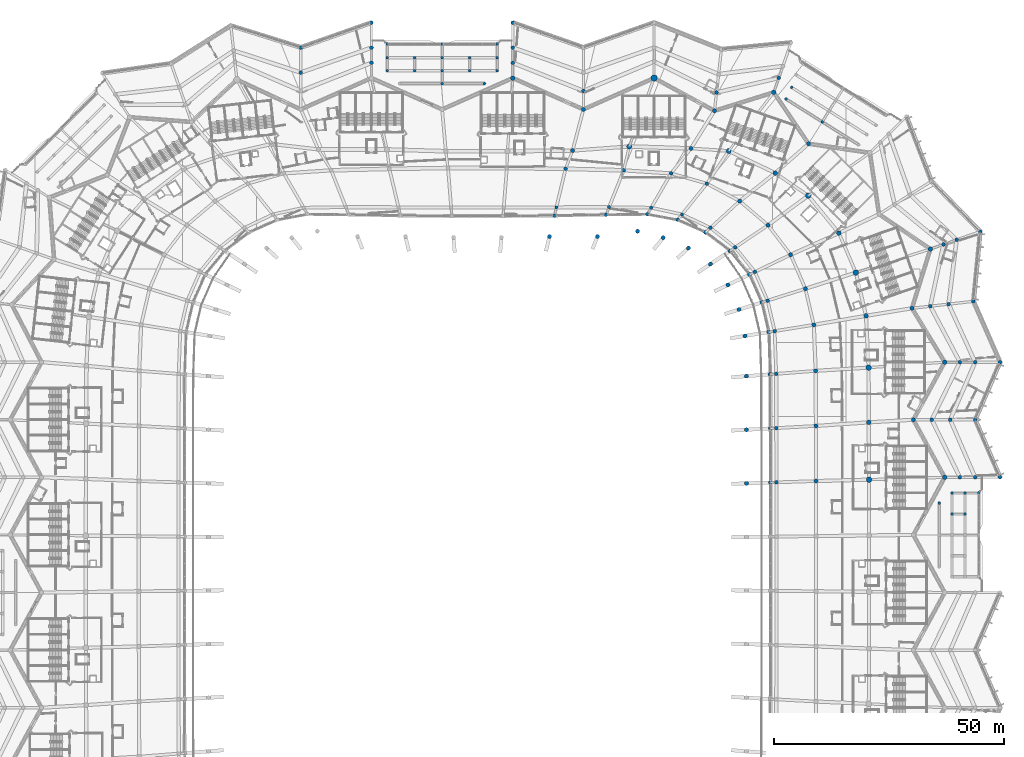
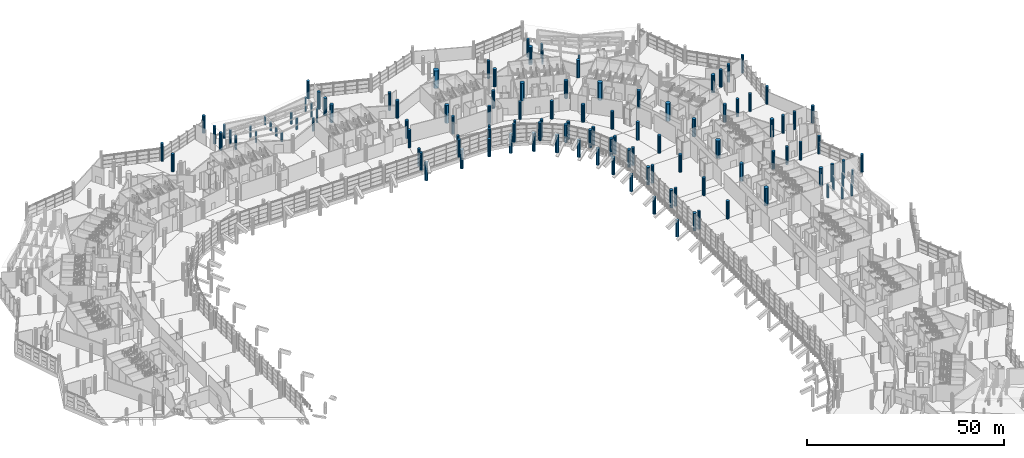
# One storey, part 6 of 271: 121 columns.
"""IFC4 building model written with IfcOpenShell, lengths in metres."""

from ifc_helpers import new_model, si_unit, direction, frame, origin, origin_2d, place, context, subcontext, project, spatial, circle, extrude, material, material_profile, profile_set, type_object, element, save


model = new_model("IFC4")

# Units and contexts
model_context = context("Model", 3, precision=1e-05, world=origin(), true_north=direction((0.0, 1.0)))
body_context = subcontext(model_context, "Body", "Model", "MODEL_VIEW")
ifc_project = project(units=[si_unit("LENGTHUNIT", "METRE"), si_unit("AREAUNIT", "SQUARE_METRE"), si_unit("VOLUMEUNIT", "CUBIC_METRE"), si_unit("PLANEANGLEUNIT", "RADIAN"), si_unit("MASSUNIT", "GRAM", prefix="KILO")], contexts=[model_context])

# Site, building, storey
site_placement = place(None, origin())
site = spatial("IfcSite", under=ifc_project, at=site_placement, CompositionType="ELEMENT")
building_placement = place(site_placement, origin())
building = spatial("IfcBuilding", under=site, at=building_placement, Name="Meseta Stadium", CompositionType="ELEMENT")
storey_placement = place(building_placement, frame((0.0, 0.0, 6.5)))
storey = spatial("IfcBuildingStorey", under=building, at=storey_placement, Name="L01", CompositionType="ELEMENT", Elevation=6.5)

# Columns
ifc_material_1 = material(Name="Concrete C40/50", Category="concrete")
ifc_material_profile_1 = material_profile(ifc_material_1, circle(Radius=0.300048828125, at=origin_2d()), Name="RC D600")
ifc_profile_set_1 = profile_set([ifc_material_profile_1], Name="Concrete C40/50")
column_type_1 = type_object("IfcColumnType", Name="Gate column D600", PredefinedType="COLUMN", material=ifc_profile_set_1)
column_1_placement = place(storey_placement, frame((100.199951171875, 13.16748046875, 0.0), z_axis=(0.0, 0.0, 1.0), x_axis=(1.0, 0.0, 0.0)))
element("IfcColumn", 1, at=column_1_placement, inside=storey, type_object=column_type_1, Name="Gate 1 column L01", PredefinedType="COLUMN", context=body_context, shape_type="SweptSolid", body=[
    extrude(circle(Radius=0.300048828125, at=origin_2d()), origin(), (0.0, 0.0, 1.0), 4.146484375),
])
column_2_placement = place(storey_placement, frame((103.0, 10.800048828125, 0.0), z_axis=(0.0, 0.0, 1.0), x_axis=(1.0, 0.0, 0.0)))
element("IfcColumn", 2, at=column_2_placement, inside=storey, type_object=column_type_1, Name="Gate 1 column L01", PredefinedType="COLUMN", context=body_context, shape_type="SweptSolid", body=[
    extrude(circle(Radius=0.300048828125, at=origin_2d()), origin(), (0.0, 0.0, 1.0), 3.759033203125),
])
column_3_placement = place(storey_placement, frame((103.0, 15.35009765625, 0.0), z_axis=(0.0, 0.0, 1.0), x_axis=(1.0, 0.0, 0.0)))
element("IfcColumn", 3, at=column_3_placement, inside=storey, type_object=column_type_1, Name="Gate 1 column L01", PredefinedType="COLUMN", context=body_context, shape_type="SweptSolid", body=[
    extrude(circle(Radius=0.300048828125, at=origin_2d()), origin(), (0.0, 0.0, 1.0), 4.39599609375),
])
column_4_placement = place(storey_placement, frame((105.800048828125, 10.800048828125, 0.0), z_axis=(0.0, 0.0, 1.0), x_axis=(1.0, 0.0, 0.0)))
element("IfcColumn", 4, at=column_4_placement, inside=storey, type_object=column_type_1, Name="Gate 1 column L01", PredefinedType="COLUMN", context=body_context, shape_type="SweptSolid", body=[
    extrude(circle(Radius=0.300048828125, at=origin_2d()), origin(), (0.0, 0.0, 1.0), 3.702880859375),
])
column_5_placement = place(storey_placement, frame((105.800048828125, 15.35009765625, 0.0), z_axis=(0.0, 0.0, 1.0), x_axis=(1.0, 0.0, 0.0)))
element("IfcColumn", 5, at=column_5_placement, inside=storey, type_object=column_type_1, Name="Gate 1 column L01", PredefinedType="COLUMN", context=body_context, shape_type="SweptSolid", body=[
    extrude(circle(Radius=0.300048828125, at=origin_2d()), origin(), (0.0, 0.0, 1.0), 4.340087890625),
])
column_6_placement = place(storey_placement, frame((108.800048828125, 15.35009765625, 0.0), z_axis=(0.0, 0.0, 1.0), x_axis=(1.0, 0.0, 0.0)))
element("IfcColumn", 6, at=column_6_placement, inside=storey, type_object=column_type_1, Name="Gate 1 column L01", PredefinedType="COLUMN", context=body_context, shape_type="SweptSolid", body=[
    extrude(circle(Radius=0.300048828125, at=origin_2d()), origin(), (0.0, 0.0, 1.0), 4.280029296875),
])
column_7_placement = place(storey_placement, frame((74.836181640625, 95.892578125, 0.0), z_axis=(0.0, 0.0, 1.0), x_axis=(1.0, 0.0, 0.0)))
element("IfcColumn", 7, at=column_7_placement, inside=storey, type_object=column_type_1, Name="Gate 2 column L01", PredefinedType="COLUMN", context=body_context, shape_type="SweptSolid", body=[
    extrude(circle(Radius=0.300048828125, at=origin_2d()), origin(), (0.0, 0.0, 1.0), 3.106689453125),
])
column_8_placement = place(storey_placement, frame((66.952880859375, 100.845947265625, 0.0), z_axis=(0.0, 0.0, 1.0), x_axis=(1.0, 0.0, 0.0)))
element("IfcColumn", 8, at=column_8_placement, inside=storey, type_object=column_type_1, Name="Gate 2 column L01", PredefinedType="COLUMN", context=body_context, shape_type="SweptSolid", body=[
    extrude(circle(Radius=0.300048828125, at=origin_2d()), origin(), (0.0, 0.0, 1.0), 4.409912109375),
])
column_9_placement = place(storey_placement, frame((68.18896484375, 103.3759765625, 0.0), z_axis=(0.0, 0.0, 1.0), x_axis=(1.0, 0.0, 0.0)))
element("IfcColumn", 9, at=column_9_placement, inside=storey, type_object=column_type_1, Name="Gate 2 column L01", PredefinedType="COLUMN", context=body_context, shape_type="SweptSolid", body=[
    extrude(circle(Radius=0.300048828125, at=origin_2d()), origin(), (0.0, 0.0, 1.0), 4.39599609375),
])
column_10_placement = place(storey_placement, frame((1.516845703125, 104.199951171875, 0.0), z_axis=(0.0, 0.0, 1.0), x_axis=(1.0, 0.0, 0.0)))
element("IfcColumn", 10, at=column_10_placement, inside=storey, type_object=column_type_1, Name="Gate 3 column L01", PredefinedType="COLUMN", context=body_context, shape_type="SweptSolid", body=[
    extrude(circle(Radius=0.300048828125, at=origin_2d()), origin(), (0.0, 0.0, 1.0), 4.06689453125),
])
column_11_placement = place(storey_placement, frame((-7.666748046875, 104.199951171875, 0.0), z_axis=(0.0, 0.0, 1.0), x_axis=(1.0, 0.0, 0.0)))
element("IfcColumn", 11, at=column_11_placement, inside=storey, type_object=column_type_1, Name="Gate 3 column L01", PredefinedType="COLUMN", context=body_context, shape_type="SweptSolid", body=[
    extrude(circle(Radius=0.300048828125, at=origin_2d()), origin(), (0.0, 0.0, 1.0), 2.78125),
])
column_12_placement = place(storey_placement, frame((4.2666015625, 107.0, 0.0), z_axis=(0.0, 0.0, 1.0), x_axis=(1.0, 0.0, 0.0)))
element("IfcColumn", 12, at=column_12_placement, inside=storey, type_object=column_type_1, Name="Gate 3 column L01", PredefinedType="COLUMN", context=body_context, shape_type="SweptSolid", body=[
    extrude(circle(Radius=0.300048828125, at=origin_2d()), origin(), (0.0, 0.0, 1.0), 4.39599609375),
])
column_13_placement = place(storey_placement, frame((-1.699951171875, 107.0, 0.0), z_axis=(0.0, 0.0, 1.0), x_axis=(1.0, 0.0, 0.0)))
element("IfcColumn", 13, at=column_13_placement, inside=storey, type_object=column_type_1, Name="Gate 3 column L01", PredefinedType="COLUMN", context=body_context, shape_type="SweptSolid", body=[
    extrude(circle(Radius=0.300048828125, at=origin_2d()), origin(), (0.0, 0.0, 1.0), 3.560791015625),
])
column_14_placement = place(storey_placement, frame((-7.666748046875, 107.0, 0.0), z_axis=(0.0, 0.0, 1.0), x_axis=(1.0, 0.0, 0.0)))
element("IfcColumn", 14, at=column_14_placement, inside=storey, type_object=column_type_1, Name="Gate 3 column L01", PredefinedType="COLUMN", context=body_context, shape_type="SweptSolid", body=[
    extrude(circle(Radius=0.300048828125, at=origin_2d()), origin(), (0.0, 0.0, 1.0), 2.725341796875),
])
column_15_placement = place(storey_placement, frame((-13.63330078125, 107.0, 0.0), z_axis=(0.0, 0.0, 1.0), x_axis=(1.0, 0.0, 0.0)))
element("IfcColumn", 15, at=column_15_placement, inside=storey, type_object=column_type_1, Name="Gate 3 column L01", PredefinedType="COLUMN", context=body_context, shape_type="SweptSolid", body=[
    extrude(circle(Radius=0.300048828125, at=origin_2d()), origin(), (0.0, 0.0, 1.0), 3.560791015625),
])
column_16_placement = place(storey_placement, frame((-19.60009765625, 107.0, 0.0), z_axis=(0.0, 0.0, 1.0), x_axis=(1.0, 0.0, 0.0)))
element("IfcColumn", 16, at=column_16_placement, inside=storey, type_object=column_type_1, Name="Gate 3 column L01", PredefinedType="COLUMN", context=body_context, shape_type="SweptSolid", body=[
    extrude(circle(Radius=0.300048828125, at=origin_2d()), origin(), (0.0, 0.0, 1.0), 4.39599609375),
])
column_17_placement = place(storey_placement, frame((4.2666015625, 109.800048828125, 0.0), z_axis=(0.0, 0.0, 1.0), x_axis=(1.0, 0.0, 0.0)))
element("IfcColumn", 17, at=column_17_placement, inside=storey, type_object=column_type_1, Name="Gate 3 column L01", PredefinedType="COLUMN", context=body_context, shape_type="SweptSolid", body=[
    extrude(circle(Radius=0.300048828125, at=origin_2d()), origin(), (0.0, 0.0, 1.0), 4.340087890625),
])
column_18_placement = place(storey_placement, frame((-1.699951171875, 109.800048828125, 0.0), z_axis=(0.0, 0.0, 1.0), x_axis=(1.0, 0.0, 0.0)))
element("IfcColumn", 18, at=column_18_placement, inside=storey, type_object=column_type_1, Name="Gate 3 column L01", PredefinedType="COLUMN", context=body_context, shape_type="SweptSolid", body=[
    extrude(circle(Radius=0.300048828125, at=origin_2d()), origin(), (0.0, 0.0, 1.0), 3.504638671875),
])
column_19_placement = place(storey_placement, frame((-7.666748046875, 109.800048828125, 0.0), z_axis=(0.0, 0.0, 1.0), x_axis=(1.0, 0.0, 0.0)))
element("IfcColumn", 19, at=column_19_placement, inside=storey, type_object=column_type_1, Name="Gate 3 column L01", PredefinedType="COLUMN", context=body_context, shape_type="SweptSolid", body=[
    extrude(circle(Radius=0.300048828125, at=origin_2d()), origin(), (0.0, 0.0, 1.0), 2.669189453125),
])
column_20_placement = place(storey_placement, frame((-13.63330078125, 109.800048828125, 0.0), z_axis=(0.0, 0.0, 1.0), x_axis=(1.0, 0.0, 0.0)))
element("IfcColumn", 20, at=column_20_placement, inside=storey, type_object=column_type_1, Name="Gate 3 column L01", PredefinedType="COLUMN", context=body_context, shape_type="SweptSolid", body=[
    extrude(circle(Radius=0.300048828125, at=origin_2d()), origin(), (0.0, 0.0, 1.0), 3.504638671875),
])
column_21_placement = place(storey_placement, frame((-19.60009765625, 109.800048828125, 0.0), z_axis=(0.0, 0.0, 1.0), x_axis=(1.0, 0.0, 0.0)))
element("IfcColumn", 21, at=column_21_placement, inside=storey, type_object=column_type_1, Name="Gate 3 column L01", PredefinedType="COLUMN", context=body_context, shape_type="SweptSolid", body=[
    extrude(circle(Radius=0.300048828125, at=origin_2d()), origin(), (0.0, 0.0, 1.0), 4.340087890625),
])
column_22_placement = place(storey_placement, frame((4.2666015625, 112.800048828125, 0.0), z_axis=(0.0, 0.0, 1.0), x_axis=(1.0, 0.0, 0.0)))
element("IfcColumn", 22, at=column_22_placement, inside=storey, type_object=column_type_1, Name="Gate 3 column L01", PredefinedType="COLUMN", context=body_context, shape_type="SweptSolid", body=[
    extrude(circle(Radius=0.300048828125, at=origin_2d()), origin(), (0.0, 0.0, 1.0), 4.280029296875),
])
column_23_placement = place(storey_placement, frame((-7.666748046875, 112.800048828125, 0.0), z_axis=(0.0, 0.0, 1.0), x_axis=(1.0, 0.0, 0.0)))
element("IfcColumn", 23, at=column_23_placement, inside=storey, type_object=column_type_1, Name="Gate 3 column L01", PredefinedType="COLUMN", context=body_context, shape_type="SweptSolid", body=[
    extrude(circle(Radius=0.300048828125, at=origin_2d()), origin(), (0.0, 0.0, 1.0), 2.609375),
])
column_24_placement = place(storey_placement, frame((-19.60009765625, 112.800048828125, 0.0), z_axis=(0.0, 0.0, 1.0), x_axis=(1.0, 0.0, 0.0)))
element("IfcColumn", 24, at=column_24_placement, inside=storey, type_object=column_type_1, Name="Gate 3 column L01", PredefinedType="COLUMN", context=body_context, shape_type="SweptSolid", body=[
    extrude(circle(Radius=0.300048828125, at=origin_2d()), origin(), (0.0, 0.0, 1.0), 4.280029296875),
])
ifc_material_2 = material(Name="Concrete C40/50", Category="concrete")
ifc_material_profile_2 = material_profile(ifc_material_2, circle(Radius=0.5, at=origin_2d()), Name="RC D1000")
ifc_profile_set_2 = profile_set([ifc_material_profile_2], Name="Concrete C40/50")
column_type_2 = type_object("IfcColumnType", Name="RC column D1000", PredefinedType="COLUMN", material=ifc_profile_set_2)
for number, where, z_axis, x_axis, name in (
    (25, (101.39990234375, 18.75, 0.0), (0.0, 0.0, 1.0), (1.0, 0.0, 0.0), "Column C10 L01 frame 6 line R"),
    (26, (84.92529296875, 30.681640625, 0.0), (0.0, 0.0, 1.0), (1.0, 0.0, 0.0), "Column C10 L01 frame 7 line P"),
    (27, (101.39990234375, 43.75, 0.0), (0.0, 0.0, 1.0), (1.0, 0.0, 0.0), "Column C10 L01 frame 8 line R"),
    (28, (84.3251953125, 53.801513671875, 0.0), (0.0, 0.0, 1.0), (1.0, 0.0, 0.0), "Column C10 L01 frame 9 line P"),
    (29, (98.291015625, 68.29736328125, 0.0), (0.0, 0.0, 1.0), (1.0, 0.0, 0.0), "Column C10 L01 frame 10 line R"),
    (30, (78.4453125, 71.756103515625, 0.0), (0.0, 0.0, 1.0), (1.0, 0.0, 0.0), "Column C10 L01 frame 11 line P"),
    (31, (64.6220703125, 84.79248046875, 0.0), (0.0, 0.0, 1.0), (1.0, 0.0, 0.0), "Column C10 L01 frame 13 line P"),
    (32, (64.29736328125, 102.291015625, 0.0), (0.0, 0.0, 1.0), (1.0, 0.0, 0.0), "Column C10 L01 frame 14 line R"),
    (33, (7.666748046875, 105.39990234375, 0.0), (0.0, 0.0, 1.0), (1.0, 0.0, 0.0), "Column C10 L01 frame 18 line R"),
):
    element("IfcColumn", number, at=place(storey_placement, frame(where, z_axis=z_axis, x_axis=x_axis)), inside=storey, type_object=column_type_2, Name=name, PredefinedType="COLUMN", context=body_context, shape_type="SweptSolid", body=[
        extrude(circle(Radius=0.5, at=origin_2d()), origin(), (0.0, 0.0, 1.0), 5.5),
    ])
ifc_material_3 = material(Name="Concrete C40/50", Category="concrete")
ifc_material_profile_3 = material_profile(ifc_material_3, circle(Radius=0.550048828125, at=origin_2d()), Name="RC D1100")
ifc_profile_set_3 = profile_set([ifc_material_profile_3], Name="Concrete C40/50")
column_type_3 = type_object("IfcColumnType", Name="RC column D1100", PredefinedType="COLUMN", material=ifc_profile_set_3)
for number, where, z_axis, x_axis, name in (
    (34, (54.523193359375, 89.579345703125, 0.0), (0.0, 0.0, 1.0), (1.0, 0.0, 0.0), "Column C11 L01 frame 14 line P"),
    (35, (32.944091796875, 90.551025390625, 0.0), (0.0, 0.0, 1.0), (1.0, 0.0, 0.0), "Column C11 L01 frame 16 line P"),
):
    element("IfcColumn", number, at=place(storey_placement, frame(where, z_axis=z_axis, x_axis=x_axis)), inside=storey, type_object=column_type_3, Name=name, PredefinedType="COLUMN", context=body_context, shape_type="SweptSolid", body=[
        extrude(circle(Radius=0.550048828125, at=origin_2d()), origin(), (0.0, 0.0, 1.0), 5.5),
    ])
ifc_material_4 = material(Name="Concrete C40/50", Category="concrete")
ifc_material_profile_4 = material_profile(ifc_material_4, circle(Radius=0.60009765625, at=origin_2d()), Name="RC D1200")
ifc_profile_set_4 = profile_set([ifc_material_profile_4], Name="Concrete C40/50")
column_type_4 = type_object("IfcColumnType", Name="RC column D1200", PredefinedType="COLUMN", material=ifc_profile_set_4)
for number, where, z_axis, x_axis, name in (
    (36, (84.978515625, 18.24365234375, 0.0), (0.0, 0.0, 1.0), (1.0, 0.0, 0.0), "Column C12 L01 frame 6 line P"),
    (37, (84.884033203125, 42.5615234375, 0.0), (0.0, 0.0, 1.0), (1.0, 0.0, 0.0), "Column C12 L01 frame 8 line P"),
    (38, (82.119873046875, 63.191162109375, 0.0), (0.0, 0.0, 1.0), (1.0, 0.0, 0.0), "Column C12 L01 frame 10 line P"),
    (39, (71.775390625, 79.888916015625, 0.0), (0.0, 0.0, 1.0), (1.0, 0.0, 0.0), "Column C12 L01 frame 12 line P"),
):
    element("IfcColumn", number, at=place(storey_placement, frame(where, z_axis=z_axis, x_axis=x_axis)), inside=storey, type_object=column_type_4, Name=name, PredefinedType="COLUMN", context=body_context, shape_type="SweptSolid", body=[
        extrude(circle(Radius=0.60009765625, at=origin_2d()), origin(), (0.0, 0.0, 1.0), 5.5),
    ])
ifc_material_5 = material(Name="Concrete C40/50", Category="concrete")
ifc_material_profile_5 = material_profile(ifc_material_5, circle(Radius=0.699951171875, at=origin_2d()), Name="RC D1400")
ifc_profile_set_5 = profile_set([ifc_material_profile_5], Name="Concrete C40/50")
column_type_5 = type_object("IfcColumnType", Name="RC column D1400", PredefinedType="COLUMN", material=ifc_profile_set_5)
column_25_placement = place(storey_placement, frame((38.333251953125, 105.39990234375, 0.0), z_axis=(0.0, 0.0, 1.0), x_axis=(1.0, 0.0, 0.0)))
element("IfcColumn", 40, at=column_25_placement, inside=storey, type_object=column_type_5, Name="Column C14 L01 frame 16 line R", PredefinedType="COLUMN", context=body_context, shape_type="SweptSolid", body=[
    extrude(circle(Radius=0.699951171875, at=origin_2d()), origin(), (0.0, 0.0, 1.0), 5.5),
])
ifc_material_6 = material(Name="Concrete C40/50", Category="concrete")
ifc_material_profile_6 = material_profile(ifc_material_6, circle(Radius=0.35009765625, at=origin_2d()), Name="RC D700")
ifc_profile_set_6 = profile_set([ifc_material_profile_6], Name="Concrete C40/50")
column_type_6 = type_object("IfcColumnType", Name="RC column D700", PredefinedType="COLUMN", material=ifc_profile_set_6)
for number, where, z_axis, x_axis, name in (
    (41, (44.39013671875, 75.806396484375, 0.0), (0.0, 0.0, 1.0), (1.0, 0.0, 0.0), "Column C7 L01 frame 14 line D"),
    (42, (37.711669921875, 77.26171875, 0.0), (0.0, 0.0, 1.0), (1.0, 0.0, 0.0), "Column C7 L01 frame 15 line D"),
    (43, (28.564697265625, 77.38330078125, 0.0), (0.0, 0.0, 1.0), (1.0, 0.0, 0.0), "Column C7 L01 frame 16 line D"),
    (44, (17.126708984375, 77.33203125, 0.0), (0.0, 0.0, 1.0), (1.0, 0.0, 0.0), "Column C7 L01 frame 17 line D"),
):
    element("IfcColumn", number, at=place(storey_placement, frame(where, z_axis=z_axis, x_axis=x_axis)), inside=storey, type_object=column_type_6, Name=name, PredefinedType="COLUMN", context=body_context, shape_type="SweptSolid", body=[
        extrude(circle(Radius=0.35009765625, at=origin_2d()), origin(), (0.0, 0.0, 1.0), 5.5),
    ])
ifc_material_7 = material(Name="Concrete C40/50", Category="concrete")
ifc_material_profile_7 = material_profile(ifc_material_7, circle(Radius=0.39990234375, at=origin_2d()), Name="RC D800")
ifc_profile_set_7 = profile_set([ifc_material_profile_7], Name="Concrete C40/50")
column_type_7 = type_object("IfcColumnType", Name="RC column D800", PredefinedType="COLUMN", material=ifc_profile_set_7)
for number, where, z_axis, x_axis, name in (
    (45, (64.886962890625, 17.66064453125, 0.0), (0.0, 0.0, 1.0), (1.0, 0.0, 0.0), "Column C8 L01 frame 6 line D"),
    (46, (64.8642578125, 29.433349609375, 0.0), (0.0, 0.0, 1.0), (1.0, 0.0, 0.0), "Column C8 L01 frame 7 line D"),
    (47, (64.829833984375, 41.2041015625, 0.0), (0.0, 0.0, 1.0), (1.0, 0.0, 0.0), "Column C8 L01 frame 8 line D"),
    (48, (64.501708984375, 50.479736328125, 0.0), (0.0, 0.0, 1.0), (1.0, 0.0, 0.0), "Column C8 L01 frame 9 line D"),
    (49, (62.963623046875, 57.1044921875, 0.0), (0.0, 0.0, 1.0), (1.0, 0.0, 0.0), "Column C8 L01 frame 10 line D"),
    (50, (60.22216796875, 63.33056640625, 0.0), (0.0, 0.0, 1.0), (1.0, 0.0, 0.0), "Column C8 L01 frame 11 line D"),
    (51, (55.940185546875, 68.657958984375, 0.0), (0.0, 0.0, 1.0), (1.0, 0.0, 0.0), "Column C8 L01 frame 12 line D"),
    (52, (50.571533203125, 72.888671875, 0.0), (0.0, 0.0, 1.0), (1.0, 0.0, 0.0), "Column C8 L01 frame 13 line D"),
    (53, (43.430419921875, 74.617431640625, 0.0), (0.0, 0.0, 1.0), (1.0, 0.0, 0.0), "Column C8 L01 frame 14 line C"),
    (54, (49.791259765625, 82.498779296875, 0.0), (0.0, 0.0, 1.0), (1.0, 0.0, 0.0), "Column C8 L01 frame 14 line E"),
    (55, (36.8857421875, 75.8330078125, 0.0), (0.0, 0.0, 1.0), (1.0, 0.0, 0.0), "Column C8 L01 frame 15 line C"),
    (56, (42.015625, 84.707275390625, 0.0), (0.0, 0.0, 1.0), (1.0, 0.0, 0.0), "Column C8 L01 frame 15 line E"),
    (57, (27.910888671875, 75.735595703125, 0.0), (0.0, 0.0, 1.0), (1.0, 0.0, 0.0), "Column C8 L01 frame 16 line C"),
    (58, (31.73681640625, 85.376708984375, 0.0), (0.0, 0.0, 1.0), (1.0, 0.0, 0.0), "Column C8 L01 frame 16 line E"),
    (59, (16.697509765625, 75.529541015625, 0.0), (0.0, 0.0, 1.0), (1.0, 0.0, 0.0), "Column C8 L01 frame 17 line C"),
    (60, (19.11865234375, 85.6982421875, 0.0), (0.0, 0.0, 1.0), (1.0, 0.0, 0.0), "Column C8 L01 frame 17 line E"),
    (61, (104.699951171875, 18.75, 0.0), (0.0, 0.0, 1.0), (1.0, 0.0, 0.0), "Ring column C8 L01 frame 6 line M"),
    (62, (108.0, 18.75, 0.0), (0.0, 0.0, 1.0), (1.0, 0.0, 0.0), "Ring column C8 L01 frame 6 line Q"),
    (63, (113.39990234375, 18.75, 0.0), (0.0, 0.0, 1.0), (1.0, 0.0, 0.0), "Ring column C8 L01 frame 6 line O"),
    (64, (98.60009765625, 31.25, 0.0), (0.0, 0.0, 1.0), (1.0, 0.0, 0.0), "Ring column C8 L01 frame 7 line M"),
    (65, (102.60009765625, 31.25, 0.0), (0.0, 0.0, 1.0), (1.0, 0.0, 0.0), "Ring column C8 L01 frame 7 line Q"),
    (66, (108.0, 31.25, 0.0), (0.0, 0.0, 1.0), (1.0, 0.0, 0.0), "Ring column C8 L01 frame 7 line O"),
    (67, (104.699951171875, 43.75, 0.0), (0.0, 0.0, 1.0), (1.0, 0.0, 0.0), "Ring column C8 L01 frame 8 line M"),
    (68, (108.0, 43.75, 0.0), (0.0, 0.0, 1.0), (1.0, 0.0, 0.0), "Ring column C8 L01 frame 8 line Q"),
    (69, (113.39990234375, 43.75, 0.0), (0.0, 0.0, 1.0), (1.0, 0.0, 0.0), "Ring column C8 L01 frame 8 line O"),
    (70, (98.269287109375, 55.889404296875, 0.0), (0.0, 0.0, 1.0), (1.0, 0.0, 0.0), "Ring column C8 L01 frame 9 line M"),
    (71, (102.244140625, 56.337158203125, 0.0), (0.0, 0.0, 1.0), (1.0, 0.0, 0.0), "Ring column C8 L01 frame 9 line Q"),
    (72, (107.610107421875, 56.94189453125, 0.0), (0.0, 0.0, 1.0), (1.0, 0.0, 0.0), "Ring column C8 L01 frame 9 line O"),
    (73, (101.140380859375, 69.29443359375, 0.0), (0.0, 0.0, 1.0), (1.0, 0.0, 0.0), "Ring column C8 L01 frame 10 line M"),
    (74, (103.989990234375, 70.29150390625, 0.0), (0.0, 0.0, 1.0), (1.0, 0.0, 0.0), "Ring column C8 L01 frame 10 line Q"),
    (75, (109.0869140625, 72.0751953125, 0.0), (0.0, 0.0, 1.0), (1.0, 0.0, 0.0), "Ring column C8 L01 frame 10 line O"),
    (76, (65.3935546875, 105.423583984375, 0.0), (0.0, 0.0, 1.0), (1.0, 0.0, 0.0), "Ring column C8 L01 frame 14 line M"),
    (77, (51.889404296875, 102.269287109375, 0.0), (0.0, 0.0, 1.0), (1.0, 0.0, 0.0), "Ring column C8 L01 frame 15 line M"),
    (78, (23.0, 102.60009765625, 0.0), (0.0, 0.0, 1.0), (1.0, 0.0, 0.0), "Ring column C8 L01 frame 17 line M"),
    (79, (7.666748046875, 108.699951171875, 0.0), (0.0, 0.0, 1.0), (1.0, 0.0, 0.0), "Ring column C8 L01 frame 18 line M"),
    (80, (7.666748046875, 112.0, 0.0), (0.0, 0.0, 1.0), (1.0, 0.0, 0.0), "Ring column C8 L01 frame 18 line Q"),
    (81, (7.666748046875, 117.39990234375, 0.0), (0.0, 0.0, 1.0), (1.0, 0.0, 0.0), "Ring column C8 L01 frame 18 line O"),
    (82, (-23.0, 108.699951171875, 0.0), (0.0, 0.0, 1.0), (1.0, 0.0, 0.0), "Ring column C8 L01 frame 20 line M"),
    (83, (-23.0, 112.0, 0.0), (0.0, 0.0, 1.0), (1.0, 0.0, 0.0), "Ring column C8 L01 frame 20 line Q"),
    (84, (-23.0, 117.39990234375, 0.0), (0.0, 0.0, 1.0), (1.0, 0.0, 0.0), "Ring column C8 L01 frame 20 line O"),
    (85, (-38.333251953125, 106.60009765625, 0.0), (0.0, 0.0, 1.0), (1.0, 0.0, 0.0), "Ring column C8 L01 frame 21 line Q"),
    (86, (-38.333251953125, 112.0, 0.0), (0.0, 0.0, 1.0), (1.0, 0.0, 0.0), "Ring column C8 L01 frame 21 line O"),
):
    element("IfcColumn", number, at=place(storey_placement, frame(where, z_axis=z_axis, x_axis=x_axis)), inside=storey, type_object=column_type_7, Name=name, PredefinedType="COLUMN", context=body_context, shape_type="SweptSolid", body=[
        extrude(circle(Radius=0.39990234375, at=origin_2d()), origin(), (0.0, 0.0, 1.0), 5.5),
    ])
ifc_material_8 = material(Name="Concrete C40/50", Category="concrete")
ifc_material_profile_8 = material_profile(ifc_material_8, circle(Radius=0.449951171875, at=origin_2d()), Name="RC D900")
ifc_profile_set_8 = profile_set([ifc_material_profile_8], Name="Concrete C40/50")
column_type_8 = type_object("IfcColumnType", Name="RC column D900", PredefinedType="COLUMN", material=ifc_profile_set_8)
column_26_placement = place(storey_placement, frame((58.390625, 17.447021484375, 0.0), z_axis=(0.0, 0.0, 1.0), x_axis=(1.0, 0.0, 0.0)))
element("IfcColumn", 87, at=column_26_placement, inside=storey, type_object=column_type_8, Name="Column C9 L01 frame 6 line U", PredefinedType="COLUMN", context=body_context, shape_type="SweptSolid", body=[
    extrude(circle(Radius=0.449951171875, at=origin_2d()), origin(), (0.0, 0.0, 1.0), 5.14111328125),
])
for number, where, z_axis, x_axis, name in (
    (88, (63.587890625, 17.617919921875, 0.0), (0.0, 0.0, 1.0), (1.0, 0.0, 0.0), "Column C9 L01 frame 6 line C"),
    (89, (73.482421875, 17.943603515625, 0.0), (0.0, 0.0, 1.0), (1.0, 0.0, 0.0), "Column C9 L01 frame 6 line E"),
):
    element("IfcColumn", number, at=place(storey_placement, frame(where, z_axis=z_axis, x_axis=x_axis)), inside=storey, type_object=column_type_8, Name=name, PredefinedType="COLUMN", context=body_context, shape_type="SweptSolid", body=[
        extrude(circle(Radius=0.449951171875, at=origin_2d()), origin(), (0.0, 0.0, 1.0), 5.5),
    ])
column_27_placement = place(storey_placement, frame((58.3740234375, 29.07763671875, 0.0), z_axis=(0.0, 0.0, 1.0), x_axis=(1.0, 0.0, 0.0)))
element("IfcColumn", 90, at=column_27_placement, inside=storey, type_object=column_type_8, Name="Column C9 L01 frame 7 line U", PredefinedType="COLUMN", context=body_context, shape_type="SweptSolid", body=[
    extrude(circle(Radius=0.449951171875, at=origin_2d()), origin(), (0.0, 0.0, 1.0), 5.21826171875),
])
for number, where, z_axis, x_axis, name in (
    (91, (63.566162109375, 29.362060546875, 0.0), (0.0, 0.0, 1.0), (1.0, 0.0, 0.0), "Column C9 L01 frame 7 line C"),
    (92, (73.451171875, 29.904052734375, 0.0), (0.0, 0.0, 1.0), (1.0, 0.0, 0.0), "Column C9 L01 frame 7 line E"),
    (93, (94.60009765625, 31.25, 0.0), (0.0, 0.0, 1.0), (1.0, 0.0, 0.0), "Column C9 L01 frame 7 line R"),
):
    element("IfcColumn", number, at=place(storey_placement, frame(where, z_axis=z_axis, x_axis=x_axis)), inside=storey, type_object=column_type_8, Name=name, PredefinedType="COLUMN", context=body_context, shape_type="SweptSolid", body=[
        extrude(circle(Radius=0.449951171875, at=origin_2d()), origin(), (0.0, 0.0, 1.0), 5.5),
    ])
column_28_placement = place(storey_placement, frame((58.348876953125, 40.70654296875, 0.0), z_axis=(0.0, 0.0, 1.0), x_axis=(1.0, 0.0, 0.0)))
element("IfcColumn", 94, at=column_28_placement, inside=storey, type_object=column_type_8, Name="Column C9 L01 frame 8 line U", PredefinedType="COLUMN", context=body_context, shape_type="SweptSolid", body=[
    extrude(circle(Radius=0.449951171875, at=origin_2d()), origin(), (0.0, 0.0, 1.0), 5.294921875),
])
for number, where, z_axis, x_axis, name in (
    (95, (63.53369140625, 41.1044921875, 0.0), (0.0, 0.0, 1.0), (1.0, 0.0, 0.0), "Column C9 L01 frame 8 line C"),
    (96, (73.40478515625, 41.8623046875, 0.0), (0.0, 0.0, 1.0), (1.0, 0.0, 0.0), "Column C9 L01 frame 8 line E"),
):
    element("IfcColumn", number, at=place(storey_placement, frame(where, z_axis=z_axis, x_axis=x_axis)), inside=storey, type_object=column_type_8, Name=name, PredefinedType="COLUMN", context=body_context, shape_type="SweptSolid", body=[
        extrude(circle(Radius=0.449951171875, at=origin_2d()), origin(), (0.0, 0.0, 1.0), 5.5),
    ])
column_29_placement = place(storey_placement, frame((58.084228515625, 49.4462890625, 0.0), z_axis=(0.0, 0.0, 1.0), x_axis=(1.0, 0.0, 0.0)))
element("IfcColumn", 97, at=column_29_placement, inside=storey, type_object=column_type_8, Name="Column C9 L01 frame 9 line U", PredefinedType="COLUMN", context=body_context, shape_type="SweptSolid", body=[
    extrude(circle(Radius=0.449951171875, at=origin_2d()), origin(), (0.0, 0.0, 1.0), 5.302490234375),
])
for number, where, z_axis, x_axis, name in (
    (98, (63.21826171875, 50.27294921875, 0.0), (0.0, 0.0, 1.0), (1.0, 0.0, 0.0), "Column C9 L01 frame 9 line C"),
    (99, (72.9921875, 51.84716796875, 0.0), (0.0, 0.0, 1.0), (1.0, 0.0, 0.0), "Column C9 L01 frame 9 line E"),
    (100, (94.29443359375, 55.44140625, 0.0), (0.0, 0.0, 1.0), (1.0, 0.0, 0.0), "Column C9 L01 frame 9 line R"),
):
    element("IfcColumn", number, at=place(storey_placement, frame(where, z_axis=z_axis, x_axis=x_axis)), inside=storey, type_object=column_type_8, Name=name, PredefinedType="COLUMN", context=body_context, shape_type="SweptSolid", body=[
        extrude(circle(Radius=0.449951171875, at=origin_2d()), origin(), (0.0, 0.0, 1.0), 5.5),
    ])
column_30_placement = place(storey_placement, frame((56.76123046875, 55.15966796875, 0.0), z_axis=(0.0, 0.0, 1.0), x_axis=(1.0, 0.0, 0.0)))
element("IfcColumn", 101, at=column_30_placement, inside=storey, type_object=column_type_8, Name="Column C9 L01 frame 10 line U", PredefinedType="COLUMN", context=body_context, shape_type="SweptSolid", body=[
    extrude(circle(Radius=0.449951171875, at=origin_2d()), origin(), (0.0, 0.0, 1.0), 5.1357421875),
])
for number, where, z_axis, x_axis, name in (
    (102, (61.72314453125, 56.715576171875, 0.0), (0.0, 0.0, 1.0), (1.0, 0.0, 0.0), "Column C9 L01 frame 10 line C"),
    (103, (71.169677734375, 59.67724609375, 0.0), (0.0, 0.0, 1.0), (1.0, 0.0, 0.0), "Column C9 L01 frame 10 line E"),
):
    element("IfcColumn", number, at=place(storey_placement, frame(where, z_axis=z_axis, x_axis=x_axis)), inside=storey, type_object=column_type_8, Name=name, PredefinedType="COLUMN", context=body_context, shape_type="SweptSolid", body=[
        extrude(circle(Radius=0.449951171875, at=origin_2d()), origin(), (0.0, 0.0, 1.0), 5.5),
    ])
column_31_placement = place(storey_placement, frame((54.3642578125, 60.513427734375, 0.0), z_axis=(0.0, 0.0, 1.0), x_axis=(1.0, 0.0, 0.0)))
element("IfcColumn", 104, at=column_31_placement, inside=storey, type_object=column_type_8, Name="Column C9 L01 frame 11 line U", PredefinedType="COLUMN", context=body_context, shape_type="SweptSolid", body=[
    extrude(circle(Radius=0.449951171875, at=origin_2d()), origin(), (0.0, 0.0, 1.0), 5.391845703125),
])
for number, where, z_axis, x_axis, name in (
    (105, (59.049072265625, 62.766357421875, 0.0), (0.0, 0.0, 1.0), (1.0, 0.0, 0.0), "Column C9 L01 frame 11 line C"),
    (106, (67.972412109375, 67.057861328125, 0.0), (0.0, 0.0, 1.0), (1.0, 0.0, 0.0), "Column C9 L01 frame 11 line E"),
):
    element("IfcColumn", number, at=place(storey_placement, frame(where, z_axis=z_axis, x_axis=x_axis)), inside=storey, type_object=column_type_8, Name=name, PredefinedType="COLUMN", context=body_context, shape_type="SweptSolid", body=[
        extrude(circle(Radius=0.449951171875, at=origin_2d()), origin(), (0.0, 0.0, 1.0), 5.5),
    ])
column_32_placement = place(storey_placement, frame((50.552978515625, 65.021240234375, 0.0), z_axis=(0.0, 0.0, 1.0), x_axis=(1.0, 0.0, 0.0)))
element("IfcColumn", 107, at=column_32_placement, inside=storey, type_object=column_type_8, Name="Column C9 L01 frame 12 line U", PredefinedType="COLUMN", context=body_context, shape_type="SweptSolid", body=[
    extrude(circle(Radius=0.449951171875, at=origin_2d()), origin(), (0.0, 0.0, 1.0), 5.559814453125),
])
for number, where, z_axis, x_axis, name in (
    (108, (54.819580078125, 67.901611328125, 0.0), (0.0, 0.0, 1.0), (1.0, 0.0, 0.0), "Column C9 L01 frame 12 line C"),
    (109, (63.068115234375, 73.469970703125, 0.0), (0.0, 0.0, 1.0), (1.0, 0.0, 0.0), "Column C9 L01 frame 12 line E"),
):
    element("IfcColumn", number, at=place(storey_placement, frame(where, z_axis=z_axis, x_axis=x_axis)), inside=storey, type_object=column_type_8, Name=name, PredefinedType="COLUMN", context=body_context, shape_type="SweptSolid", body=[
        extrude(circle(Radius=0.449951171875, at=origin_2d()), origin(), (0.0, 0.0, 1.0), 5.5),
    ])
column_33_placement = place(storey_placement, frame((45.777099609375, 68.499755859375, 0.0), z_axis=(0.0, 0.0, 1.0), x_axis=(1.0, 0.0, 0.0)))
element("IfcColumn", 110, at=column_33_placement, inside=storey, type_object=column_type_8, Name="Column C9 L01 frame 13 line U", PredefinedType="COLUMN", context=body_context, shape_type="SweptSolid", body=[
    extrude(circle(Radius=0.449951171875, at=origin_2d()), origin(), (0.0, 0.0, 1.0), 5.7197265625),
])
for number, where, z_axis, x_axis, name in (
    (111, (49.518310546875, 71.924560546875, 0.0), (0.0, 0.0, 1.0), (1.0, 0.0, 0.0), "Column C9 L01 frame 13 line C"),
    (112, (56.9150390625, 78.69580078125, 0.0), (0.0, 0.0, 1.0), (1.0, 0.0, 0.0), "Column C9 L01 frame 13 line E"),
    (113, (71.856689453125, 91.15087890625, 0.0), (0.0, 0.0, 1.0), (1.0, 0.0, 0.0), "Column C9 L01 frame 13 line R"),
):
    element("IfcColumn", number, at=place(storey_placement, frame(where, z_axis=z_axis, x_axis=x_axis)), inside=storey, type_object=column_type_8, Name=name, PredefinedType="COLUMN", context=body_context, shape_type="SweptSolid", body=[
        extrude(circle(Radius=0.449951171875, at=origin_2d()), origin(), (0.0, 0.0, 1.0), 5.5),
    ])
column_34_placement = place(storey_placement, frame((40.307861328125, 70.748291015625, 0.0), z_axis=(0.0, 0.0, 1.0), x_axis=(1.0, 0.0, 0.0)))
element("IfcColumn", 114, at=column_34_placement, inside=storey, type_object=column_type_8, Name="Column C9 L01 frame 14 line U", PredefinedType="COLUMN", context=body_context, shape_type="SweptSolid", body=[
    extrude(circle(Radius=0.449951171875, at=origin_2d()), origin(), (0.0, 0.0, 1.0), 5.867919921875),
])
for number, where, z_axis, x_axis, name in (
    (115, (34.7607421875, 72.15625, 0.0), (0.0, 0.0, 1.0), (1.0, 0.0, 0.0), "Column C9 L01 frame 15 line U"),
    (116, (46.333251953125, 90.126220703125, 0.0), (0.0, 0.0, 1.0), (1.0, 0.0, 0.0), "Column C9 L01 frame 15 line P"),
    (117, (51.44140625, 98.29443359375, 0.0), (0.0, 0.0, 1.0), (1.0, 0.0, 0.0), "Column C9 L01 frame 15 line R"),
):
    element("IfcColumn", number, at=place(storey_placement, frame(where, z_axis=z_axis, x_axis=x_axis)), inside=storey, type_object=column_type_8, Name=name, PredefinedType="COLUMN", context=body_context, shape_type="SweptSolid", body=[
        extrude(circle(Radius=0.449951171875, at=origin_2d()), origin(), (0.0, 0.0, 1.0), 5.5),
    ])
column_35_placement = place(storey_placement, frame((26.03759765625, 71.014404296875, 0.0), z_axis=(0.0, 0.0, 1.0), x_axis=(1.0, 0.0, 0.0)))
element("IfcColumn", 118, at=column_35_placement, inside=storey, type_object=column_type_8, Name="Column C9 L01 frame 16 line U", PredefinedType="COLUMN", context=body_context, shape_type="SweptSolid", body=[
    extrude(circle(Radius=0.449951171875, at=origin_2d()), origin(), (0.0, 0.0, 1.0), 5.935546875),
])
column_36_placement = place(storey_placement, frame((15.62109375, 71.0087890625, 0.0), z_axis=(0.0, 0.0, 1.0), x_axis=(1.0, 0.0, 0.0)))
element("IfcColumn", 119, at=column_36_placement, inside=storey, type_object=column_type_8, Name="Column C9 L01 frame 17 line U", PredefinedType="COLUMN", context=body_context, shape_type="SweptSolid", body=[
    extrude(circle(Radius=0.449951171875, at=origin_2d()), origin(), (0.0, 0.0, 1.0), 5.625732421875),
])
for number, where, z_axis, x_axis, name in (
    (120, (20.649658203125, 89.65625, 0.0), (0.0, 0.0, 1.0), (1.0, 0.0, 0.0), "Column C9 L01 frame 17 line P"),
    (121, (23.0, 98.60009765625, 0.0), (0.0, 0.0, 1.0), (1.0, 0.0, 0.0), "Column C9 L01 frame 17 line R"),
):
    element("IfcColumn", number, at=place(storey_placement, frame(where, z_axis=z_axis, x_axis=x_axis)), inside=storey, type_object=column_type_8, Name=name, PredefinedType="COLUMN", context=body_context, shape_type="SweptSolid", body=[
        extrude(circle(Radius=0.449951171875, at=origin_2d()), origin(), (0.0, 0.0, 1.0), 5.5),
    ])

save(model, "model.ifc")
